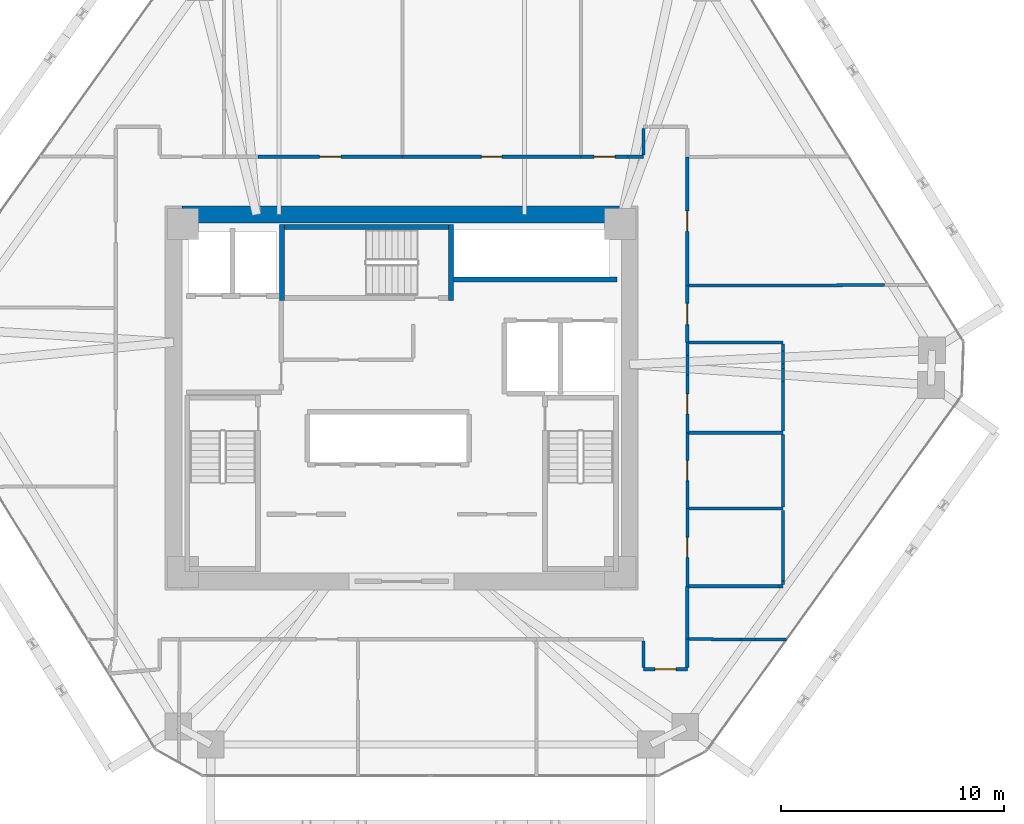
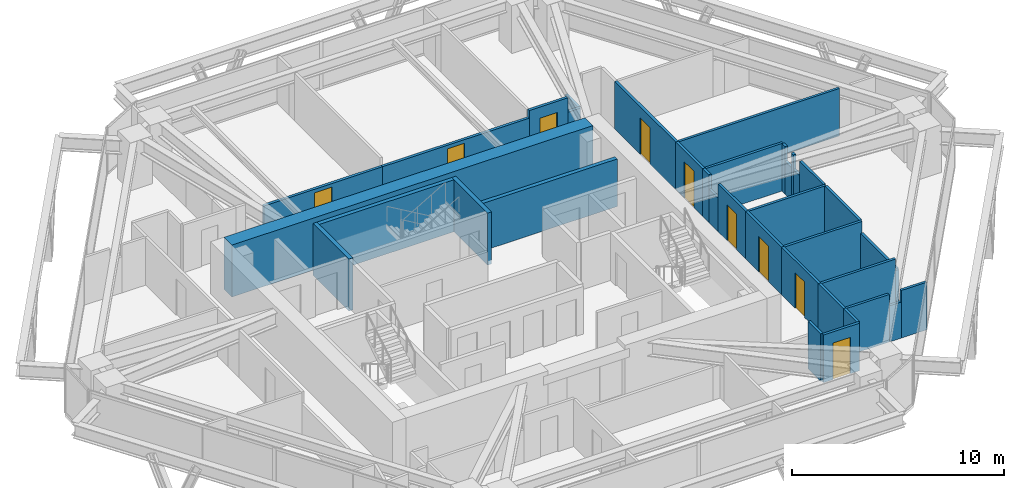
# One storey, part 12 of 14: 38 walls, 9 doors, 9 openings.
"""IFC4 building model written with IfcOpenShell, lengths in metres."""

from ifc_helpers import new_model, si_unit, direction, frame, frame_2d, origin, place, context, subcontext, project, spatial, rectangle, extrude, source, transform, mapped, material, layer, layer_set, type_object, type_shapes, element, fill, save


model = new_model("IFC4")

# Units and contexts
model_context = context("Model", 3, precision=1e-05, world=origin(), true_north=direction((0.0, 1.0)))
body_context = subcontext(model_context, "Body", "Model", "MODEL_VIEW")
ifc_project = project(units=[si_unit("LENGTHUNIT", "METRE"), si_unit("AREAUNIT", "SQUARE_METRE"), si_unit("VOLUMEUNIT", "CUBIC_METRE"), si_unit("PLANEANGLEUNIT", "RADIAN"), si_unit("MASSUNIT", "GRAM", prefix="KILO")], contexts=[model_context])

# Site, building, storey
site_placement = place(None, origin())
site = spatial("IfcSite", under=ifc_project, at=site_placement, CompositionType="ELEMENT")
building_placement = place(site_placement, origin())
building = spatial("IfcBuilding", under=site, at=building_placement, Name="Durnholm Broadcast Tower", CompositionType="ELEMENT")
storey_placement = place(building_placement, frame((0.0, 0.0, 140.10009765625)))
storey = spatial("IfcBuildingStorey", under=building, at=storey_placement, Name="L38", CompositionType="ELEMENT", Elevation=140.10009765625)

# Walls
ifc_material_1 = material(Name="Concrete C70/85", Category="concrete")
ifc_layer_1 = layer(ifc_material_1, 0.75)
ifc_layer_set_1 = layer_set([ifc_layer_1], Name="Concrete C70/85")
wall_type_1 = type_object("IfcWallType", Name="WALL-CW-750", PredefinedType="SHEAR", material=ifc_layer_set_1)
wall_1_placement = place(storey_placement, frame((-9.85009765625, 8.22509765625, 0.0), z_axis=(0.0, 0.0, 1.0), x_axis=(1.0, 0.0, 0.0)))
element("IfcWall", 1, at=wall_1_placement, inside=storey, type_object=wall_type_1, Name="L38 central core shear wall CW-N", PredefinedType="SHEAR", context=body_context, shape_type="SweptSolid", body=[
    extrude(rectangle(XDim=19.7001953125, YDim=0.75, at=frame_2d((9.85009765625, 0.0))), origin(), (0.0, 0.0, 1.0), 3.0),
])
ifc_material_2 = material(Name="Gypsum Metal Stud Partition", Category="concrete")
ifc_layer_2 = layer(ifc_material_2, 0.135009765625)
ifc_layer_set_2 = layer_set([ifc_layer_2], Name="Gypsum Metal Stud Partition")
wall_type_2 = type_object("IfcWallType", Name="WALL-PART-135", PredefinedType="PARTITIONING", material=ifc_layer_set_2)
wall_2_placement = place(storey_placement, frame((12.888916015625, -10.810302734375, 0.0), z_axis=(0.0, 0.0, 1.0), x_axis=(0.999986120669, -0.005268630773, 0.0)))
element("IfcWall", 2, at=wall_2_placement, inside=storey, type_object=wall_type_2, Name="L38 room dividing partition 14.18", PredefinedType="PARTITIONING", context=body_context, shape_type="SweptSolid", body=[
    extrude(rectangle(XDim=2.31689453125, YDim=0.135009765625, at=frame_2d((1.158447265625, 0.0))), origin(), (0.0, 0.0, 1.0), 2.744873046875),
])
wall_3_placement = place(storey_placement, frame((15.85498046875, -10.825927734375, 0.0), z_axis=(0.0, 0.0, 1.0), x_axis=(0.999986174138, -0.005258472432, 0.0)))
element("IfcWall", 3, at=wall_3_placement, inside=storey, type_object=wall_type_2, Name="L38 room dividing partition 14.18", PredefinedType="PARTITIONING", context=body_context, shape_type="SweptSolid", body=[
    extrude(rectangle(XDim=1.392822265625, YDim=0.135009765625, at=frame_2d((0.6962890625, 0.0))), origin(), (0.0, 0.0, 1.0), 2.744873046875),
])
wall_4_placement = place(storey_placement, frame((15.205810546875, -10.822509765625, 0.0), z_axis=(0.0, 0.0, 1.0), x_axis=(0.999986139453, -0.005265064292, 0.0)))
element("IfcWall", 4, at=wall_4_placement, inside=storey, type_object=wall_type_2, Name="L38 room dividing partition 14.18", PredefinedType="PARTITIONING", context=body_context, shape_type="SweptSolid", body=[
    extrude(rectangle(XDim=0.649169921875, YDim=0.135009765625, at=frame_2d((0.32470703125, 0.0))), origin(), (0.0, 0.0, 1.0), 2.079833984375),
])
wall_5_placement = place(storey_placement, frame((12.888916015625, 5.040283203125, 0.0), z_axis=(0.0, 0.0, 1.0), x_axis=(0.999998100826, 0.001948934128, 0.0)))
element("IfcWall", 5, at=wall_5_placement, inside=storey, type_object=wall_type_2, Name="L38 room dividing partition 18.19", PredefinedType="PARTITIONING", context=body_context, shape_type="SweptSolid", body=[
    extrude(rectangle(XDim=8.768798828125, YDim=0.135009765625, at=frame_2d((4.38427734375, 0.0))), origin(), (0.0, 0.0, 1.0), 2.744873046875),
])

# Wall, opening, door
ifc_material_3 = material(Name="Acoustic Gypsum Stud Partition", Category="concrete")
ifc_layer_3 = layer(ifc_material_3, 0.14990234375)
ifc_layer_set_3 = layer_set([ifc_layer_3], Name="Acoustic Gypsum Stud Partition")
wall_type_3 = type_object("IfcWallType", Name="WALL-PART-150", PredefinedType="PARTITIONING", material=ifc_layer_set_3)
wall_6_placement = place(storey_placement, frame((0.0400390625, 10.81005859375, 0.0), z_axis=(0.0, 0.0, 1.0), x_axis=(-1.0, 0.0, 0.0)))
wall_6 = element("IfcWall", 6, at=wall_6_placement, inside=storey, type_object=wall_type_3, Name="L38 Compliance Office 2 corridor partition", PredefinedType="PARTITIONING", context=body_context, shape_type="SweptSolid", body=[
    extrude(rectangle(XDim=6.481201171875, YDim=0.14990234375, at=frame_2d((3.24072265625, 0.0))), origin(), (0.0, 0.0, 1.0), 2.30810546875),
])
opening_1_placement = place(wall_6_placement, frame((2.765380859375, 0.0, 0.0)))
opening_1 = element("IfcOpeningElement", 7, at=opening_1_placement, cuts=wall_6, Name="Opening DR-95R", PredefinedType="OPENING", context=body_context, shape_type="SweptSolid", body=[
    extrude(rectangle(XDim=0.949951171875, YDim=2.10009765625, at=frame_2d((0.47509765625, 1.050048828125))), frame((0.0, 0.0849609375, 0.0), z_axis=(0.0, -1.0, 0.0), x_axis=(1.0, 0.0, 0.0)), (0.0, 0.0, 1.0), 0.169921875),
])
ifc_material_4 = material(Name="Acoustic Oak Veneer Timber Door", Category="wood")
ifc_layer_4 = layer(ifc_material_4, 0.050048828125)
ifc_layer_set_4 = layer_set([ifc_layer_4], Name="Acoustic Oak Veneer Timber Door")
door_type_1 = type_object("IfcDoorType", Name="DOOR-RM-950R", OperationType="NOTDEFINED", PredefinedType="DOOR", material=ifc_layer_set_4)
shared_shape_1 = source(origin(), body_context, "Body", "SweptSolid", [
    extrude(rectangle(XDim=0.949951171875, YDim=2.10009765625, at=frame_2d((0.47509765625, 1.050048828125))), frame((0.0, 0.02490234375, 0.0), z_axis=(0.0, -1.0, 0.0), x_axis=(1.0, 0.0, 0.0)), (0.0, 0.0, 1.0), 0.050048828125),
])
type_shapes(door_type_1, [shared_shape_1])
door_1_placement = place(opening_1_placement, origin())
door_1 = element("IfcDoor", 8, at=door_1_placement, inside=storey, type_object=door_type_1, Name="L38 Compliance Office 2 entrance door", OperationType="SINGLE_SWING_RIGHT", OverallHeight=2.10009765625, OverallWidth=0.949951171875, PredefinedType="DOOR", context=body_context, shape_type="MappedRepresentation", body=[
    mapped(shared_shape_1, transform((0.0, 0.0, 0.0), x_axis=(1.0, 0.0, 0.0), y_axis=(0.0, 1.0, 0.0), z_axis=(0.0, 0.0, 1.0), scale=1.0)),
])
fill(opening_1, door_1)

wall_7_placement = place(storey_placement, frame((8.0400390625, 10.81005859375, 0.0), z_axis=(0.0, 0.0, 1.0), x_axis=(-1.0, 0.0, 0.0)))
wall_7 = element("IfcWall", 9, at=wall_7_placement, inside=storey, type_object=wall_type_3, Name="L38 Captioning Office corridor partition", PredefinedType="PARTITIONING", context=body_context, shape_type="SweptSolid", body=[
    extrude(rectangle(XDim=8.0, YDim=0.14990234375, at=frame_2d((4.0, 0.0))), origin(), (0.0, 0.0, 1.0), 2.30810546875),
])
opening_2_placement = place(wall_7_placement, frame((3.5400390625, 0.0, 0.0)))
opening_2 = element("IfcOpeningElement", 10, at=opening_2_placement, cuts=wall_7, Name="Opening DR-92L", PredefinedType="OPENING", context=body_context, shape_type="SweptSolid", body=[
    extrude(rectangle(XDim=0.919921875, YDim=2.10009765625, at=frame_2d((0.4599609375, 1.050048828125))), frame((0.0, 0.0849609375, 0.0), z_axis=(0.0, -1.0, 0.0), x_axis=(1.0, 0.0, 0.0)), (0.0, 0.0, 1.0), 0.169921875),
])
ifc_material_5 = material(Name="Oak Veneer Office Door", Category="wood")
ifc_layer_5 = layer(ifc_material_5, 0.050048828125)
ifc_layer_set_5 = layer_set([ifc_layer_5], Name="Oak Veneer Office Door")
door_type_2 = type_object("IfcDoorType", Name="DOOR-RM-920L", OperationType="NOTDEFINED", PredefinedType="DOOR", material=ifc_layer_set_5)
shared_shape_2 = source(origin(), body_context, "Body", "SweptSolid", [
    extrude(rectangle(XDim=0.919921875, YDim=2.10009765625, at=frame_2d((0.4599609375, 1.050048828125))), frame((0.0, 0.02490234375, 0.0), z_axis=(0.0, -1.0, 0.0), x_axis=(1.0, 0.0, 0.0)), (0.0, 0.0, 1.0), 0.050048828125),
])
type_shapes(door_type_2, [shared_shape_2])
door_2_placement = place(opening_2_placement, origin())
door_2 = element("IfcDoor", 11, at=door_2_placement, inside=storey, type_object=door_type_2, Name="L38 Captioning Office entrance door", OperationType="SINGLE_SWING_LEFT", OverallHeight=2.10009765625, OverallWidth=0.919921875, PredefinedType="DOOR", context=body_context, shape_type="MappedRepresentation", body=[
    mapped(shared_shape_2, transform((0.0, 0.0, 0.0), x_axis=(1.0, 0.0, 0.0), y_axis=(0.0, 1.0, 0.0), z_axis=(0.0, 0.0, 1.0), scale=1.0)),
])
fill(opening_2, door_2)

wall_8_placement = place(storey_placement, frame((10.1416015625, 10.81005859375, 0.0), z_axis=(0.0, 0.0, 1.0), x_axis=(-1.0, 0.0, 0.0)))
wall_8 = element("IfcWall", 12, at=wall_8_placement, inside=storey, type_object=wall_type_3, Name="L38 Open Plan Broadcast Workspace 5 corridor partition", PredefinedType="PARTITIONING", context=body_context, shape_type="SweptSolid", body=[
    extrude(rectangle(XDim=2.1015625, YDim=0.14990234375, at=frame_2d((1.05078125, 0.0))), origin(), (0.0, 0.0, 1.0), 2.744873046875),
])
opening_3_placement = place(wall_8_placement, frame((0.575927734375, 0.0, 0.0)))
opening_3 = element("IfcOpeningElement", 13, at=opening_3_placement, cuts=wall_8, Name="Opening DR-95R", PredefinedType="OPENING", context=body_context, shape_type="SweptSolid", body=[
    extrude(rectangle(XDim=0.949951171875, YDim=2.10009765625, at=frame_2d((0.47509765625, 1.050048828125))), frame((0.0, 0.0849609375, 0.0), z_axis=(0.0, -1.0, 0.0), x_axis=(1.0, 0.0, 0.0)), (0.0, 0.0, 1.0), 0.169921875),
])
door_3_placement = place(opening_3_placement, origin())
door_3 = element("IfcDoor", 14, at=door_3_placement, inside=storey, type_object=door_type_1, Name="L38 Open Plan Broadcast Workspace 5 entrance door", OperationType="SINGLE_SWING_RIGHT", OverallHeight=2.10009765625, OverallWidth=0.949951171875, PredefinedType="DOOR", context=body_context, shape_type="MappedRepresentation", body=[
    mapped(shared_shape_1, transform((0.0, 0.0, 0.0), x_axis=(1.0, 0.0, 0.0), y_axis=(0.0, 1.0, 0.0), z_axis=(0.0, 0.0, 1.0), scale=1.0)),
])
fill(opening_3, door_3)

# Walls
wall_9_placement = place(storey_placement, frame((10.840087890625, 10.81005859375, 0.0), z_axis=(0.0, 0.0, 1.0), x_axis=(-1.0, 0.0, 0.0)))
element("IfcWall", 15, at=wall_9_placement, inside=storey, type_object=wall_type_3, Name="L38 Open Plan Broadcast Workspace 5 corridor partition", PredefinedType="PARTITIONING", context=body_context, shape_type="SweptSolid", body=[
    extrude(rectangle(XDim=0.698486328125, YDim=0.14990234375, at=frame_2d((0.34912109375, 0.0))), origin(), (0.0, 0.0, 1.0), 1.912109375),
])
wall_10_placement = place(storey_placement, frame((10.840087890625, 12.0810546875, 0.0), z_axis=(0.0, 0.0, 1.0), x_axis=(0.0, -1.0, 0.0)))
element("IfcWall", 16, at=wall_10_placement, inside=storey, type_object=wall_type_3, Name="L38 Open Plan Broadcast Workspace 5 corridor partition", PredefinedType="PARTITIONING", context=body_context, shape_type="SweptSolid", body=[
    extrude(rectangle(XDim=1.192138671875, YDim=0.14990234375, at=frame_2d((0.59619140625, 0.0))), origin(), (0.0, 0.0, 1.0), 1.912109375),
])

# Wall, opening, door
wall_11_placement = place(storey_placement, frame((10.840087890625, -12.159912109375, 0.0), z_axis=(0.0, 0.0, 1.0), x_axis=(1.0, 0.0, 0.0)))
wall_11 = element("IfcWall", 17, at=wall_11_placement, inside=storey, type_object=wall_type_3, Name="L38 Open Plan Broadcast Workspace 3 corridor partition", PredefinedType="PARTITIONING", context=body_context, shape_type="SweptSolid", body=[
    extrude(rectangle(XDim=1.969970703125, YDim=0.14990234375, at=frame_2d((0.98486328125, 0.0))), origin(), (0.0, 0.0, 1.0), 2.744873046875),
])
opening_4_placement = place(wall_11_placement, frame((0.510009765625, 0.0, 0.0)))
opening_4 = element("IfcOpeningElement", 18, at=opening_4_placement, cuts=wall_11, Name="Opening DR-95L", PredefinedType="OPENING", context=body_context, shape_type="SweptSolid", body=[
    extrude(rectangle(XDim=0.949951171875, YDim=2.10009765625, at=frame_2d((0.47509765625, 1.050048828125))), frame((0.0, 0.0849609375, 0.0), z_axis=(0.0, -1.0, 0.0), x_axis=(1.0, 0.0, 0.0)), (0.0, 0.0, 1.0), 0.169921875),
])
ifc_layer_6 = layer(ifc_material_4, 0.050048828125)
ifc_layer_set_6 = layer_set([ifc_layer_6], Name="Acoustic Oak Veneer Timber Door")
door_type_3 = type_object("IfcDoorType", Name="DOOR-RM-950L", OperationType="NOTDEFINED", PredefinedType="DOOR", material=ifc_layer_set_6)
shared_shape_3 = source(origin(), body_context, "Body", "SweptSolid", [
    extrude(rectangle(XDim=0.949951171875, YDim=2.10009765625, at=frame_2d((0.47509765625, 1.050048828125))), frame((0.0, 0.02490234375, 0.0), z_axis=(0.0, -1.0, 0.0), x_axis=(1.0, 0.0, 0.0)), (0.0, 0.0, 1.0), 0.050048828125),
])
type_shapes(door_type_3, [shared_shape_3])
door_4_placement = place(opening_4_placement, origin())
door_4 = element("IfcDoor", 19, at=door_4_placement, inside=storey, type_object=door_type_3, Name="L38 Open Plan Broadcast Workspace 3 entrance door", OperationType="SINGLE_SWING_LEFT", OverallHeight=2.10009765625, OverallWidth=0.949951171875, PredefinedType="DOOR", context=body_context, shape_type="MappedRepresentation", body=[
    mapped(shared_shape_3, transform((0.0, 0.0, 0.0), x_axis=(1.0, 0.0, 0.0), y_axis=(0.0, 1.0, 0.0), z_axis=(0.0, 0.0, 1.0), scale=1.0)),
])
fill(opening_4, door_4)

# Walls
wall_12_placement = place(storey_placement, frame((10.840087890625, -10.888916015625, 0.0), z_axis=(0.0, 0.0, 1.0), x_axis=(0.0, -1.0, 0.0)))
element("IfcWall", 20, at=wall_12_placement, inside=storey, type_object=wall_type_3, Name="L38 Open Plan Broadcast Workspace 3 corridor partition", PredefinedType="PARTITIONING", context=body_context, shape_type="SweptSolid", body=[
    extrude(rectangle(XDim=1.192138671875, YDim=0.14990234375, at=frame_2d((0.59619140625, 0.0))), origin(), (0.0, 0.0, 1.0), 2.744873046875),
])
wall_13_placement = place(storey_placement, frame((12.81005859375, -12.0810546875, 0.0), z_axis=(0.0, 0.0, 1.0), x_axis=(0.0, 1.0, 0.0)))
element("IfcWall", 21, at=wall_13_placement, inside=storey, type_object=wall_type_3, Name="L38 Open Plan Broadcast Workspace 3 corridor partition", PredefinedType="PARTITIONING", context=body_context, shape_type="SweptSolid", body=[
    extrude(rectangle(XDim=1.27099609375, YDim=0.14990234375, at=frame_2d((0.635498046875, 0.0))), origin(), (0.0, 0.0, 1.0), 2.744873046875),
])

# Wall, opening, door
wall_14_placement = place(storey_placement, frame((12.81005859375, 2.489990234375, 0.0), z_axis=(0.0, 0.0, 1.0), x_axis=(0.0, 1.0, 0.0)))
wall_14 = element("IfcWall", 22, at=wall_14_placement, inside=storey, type_object=wall_type_3, Name="L38 Open Plan Broadcast Workspace 1 corridor partition", PredefinedType="PARTITIONING", context=body_context, shape_type="SweptSolid", body=[
    extrude(rectangle(XDim=2.550048828125, YDim=0.14990234375, at=frame_2d((1.27490234375, 0.0))), origin(), (0.0, 0.0, 1.0), 2.744873046875),
])
opening_5_placement = place(wall_14_placement, frame((0.800048828125, 0.0, 0.0)))
opening_5 = element("IfcOpeningElement", 23, at=opening_5_placement, cuts=wall_14, Name="Opening DR-95R", PredefinedType="OPENING", context=body_context, shape_type="SweptSolid", body=[
    extrude(rectangle(XDim=0.949951171875, YDim=2.10009765625, at=frame_2d((0.47509765625, 1.050048828125))), frame((0.0, 0.0849609375, 0.0), z_axis=(0.0, -1.0, 0.0), x_axis=(1.0, 0.0, 0.0)), (0.0, 0.0, 1.0), 0.169921875),
])
door_5_placement = place(opening_5_placement, origin())
door_5 = element("IfcDoor", 24, at=door_5_placement, inside=storey, type_object=door_type_1, Name="L38 Open Plan Broadcast Workspace 1 entrance door", OperationType="SINGLE_SWING_RIGHT", OverallHeight=2.10009765625, OverallWidth=0.949951171875, PredefinedType="DOOR", context=body_context, shape_type="MappedRepresentation", body=[
    mapped(shared_shape_1, transform((0.0, 0.0, 0.0), x_axis=(1.0, 0.0, 0.0), y_axis=(0.0, 1.0, 0.0), z_axis=(0.0, 0.0, 1.0), scale=1.0)),
])
fill(opening_5, door_5)

# Wall
wall_15_placement = place(storey_placement, frame((12.81005859375, -10.81005859375, 0.0), z_axis=(0.0, 0.0, 1.0), x_axis=(0.0, 1.0, 0.0)))
element("IfcWall", 25, at=wall_15_placement, inside=storey, type_object=wall_type_3, Name="L38 Open Plan Broadcast Workspace 1 corridor partition", PredefinedType="PARTITIONING", context=body_context, shape_type="SweptSolid", body=[
    extrude(rectangle(XDim=2.3701171875, YDim=0.14990234375, at=frame_2d((1.18505859375, 0.0))), origin(), (0.0, 0.0, 1.0), 2.744873046875),
])

# Wall, opening, door
wall_16_placement = place(storey_placement, frame((12.81005859375, 5.0400390625, 0.0), z_axis=(0.0, 0.0, 1.0), x_axis=(0.0, 1.0, 0.0)))
wall_16 = element("IfcWall", 26, at=wall_16_placement, inside=storey, type_object=wall_type_3, Name="L38 IP Counsel Office corridor partition", PredefinedType="PARTITIONING", context=body_context, shape_type="SweptSolid", body=[
    extrude(rectangle(XDim=5.77001953125, YDim=0.14990234375, at=frame_2d((2.885009765625, 0.0))), origin(), (0.0, 0.0, 1.0), 2.744873046875),
])
opening_6_placement = place(wall_16_placement, frame((2.425048828125, 0.0, 0.0)))
opening_6 = element("IfcOpeningElement", 27, at=opening_6_placement, cuts=wall_16, Name="Opening DR-92L", PredefinedType="OPENING", context=body_context, shape_type="SweptSolid", body=[
    extrude(rectangle(XDim=0.919921875, YDim=2.10009765625, at=frame_2d((0.4599609375, 1.050048828125))), frame((0.0, 0.0849609375, 0.0), z_axis=(0.0, -1.0, 0.0), x_axis=(1.0, 0.0, 0.0)), (0.0, 0.0, 1.0), 0.169921875),
])
door_6_placement = place(opening_6_placement, origin())
door_6 = element("IfcDoor", 28, at=door_6_placement, inside=storey, type_object=door_type_2, Name="L38 IP Counsel Office entrance door", OperationType="SINGLE_SWING_LEFT", OverallHeight=2.10009765625, OverallWidth=0.919921875, PredefinedType="DOOR", context=body_context, shape_type="MappedRepresentation", body=[
    mapped(shared_shape_2, transform((0.0, 0.0, 0.0), x_axis=(1.0, 0.0, 0.0), y_axis=(0.0, 1.0, 0.0), z_axis=(0.0, 0.0, 1.0), scale=1.0)),
])
fill(opening_6, door_6)

# Walls
ifc_material_6 = material(Name="Concrete Blockwork C30/37", Category="masonry")
ifc_layer_7 = layer(ifc_material_6, 0.219970703125)
ifc_layer_set_7 = layer_set([ifc_layer_7], Name="Concrete Blockwork C30/37")
wall_type_4 = type_object("IfcWallType", Name="WALL-SHAFT-220", PredefinedType="SOLIDWALL", material=ifc_layer_set_7)
wall_17_placement = place(storey_placement, frame((2.324951171875, 5.320068359375, 0.0), z_axis=(0.0, 0.0, 1.0), x_axis=(1.0, 0.0, 0.0)))
element("IfcWall", 29, at=wall_17_placement, inside=storey, type_object=wall_type_4, Name="L38 high-rise bank P3 south front wall", PredefinedType="SOLIDWALL", context=body_context, shape_type="SweptSolid", body=[
    extrude(rectangle(XDim=7.324951171875, YDim=0.219970703125, at=frame_2d((3.66259765625, 0.0))), origin(), (0.0, 0.0, 1.0), 2.744873046875),
])
ifc_material_7 = material(Name="Concrete C50/60", Category="concrete")
ifc_layer_8 = layer(ifc_material_7, 0.219970703125)
ifc_layer_set_8 = layer_set([ifc_layer_8], Name="Concrete C50/60")
wall_type_5 = type_object("IfcWallType", Name="WALL-SW-220", PredefinedType="SHEAR", material=ifc_layer_set_8)
for number, where, z_axis, x_axis, name in (
    (30, (2.2099609375, 4.3798828125, -0.239990234375), (0.0, 0.0, 1.0), (0.0, 1.0, 0.0), "L38 stair ST-3 structural shaft wall E"),
    (31, (-5.360107421875, 7.780029296875, -0.239990234375), (0.0, 0.0, 1.0), (0.0, -1.0, 0.0), "L38 stair ST-3 structural shaft wall W"),
):
    element("IfcWall", number, at=place(storey_placement, frame(where, z_axis=z_axis, x_axis=x_axis)), inside=storey, type_object=wall_type_5, Name=name, PredefinedType="SHEAR", context=body_context, shape_type="SweptSolid", body=[
        extrude(rectangle(XDim=3.400146484375, YDim=0.219970703125, at=frame_2d((1.7001953125, 0.0))), origin(), (0.0, 0.0, 1.0), 3.0),
    ])
wall_18_placement = place(storey_placement, frame((2.10009765625, 7.669921875, -0.239990234375), z_axis=(0.0, 0.0, 1.0), x_axis=(-1.0, 0.0, 0.0)))
element("IfcWall", 32, at=wall_18_placement, inside=storey, type_object=wall_type_5, Name="L38 stair ST-3 structural shaft wall N", PredefinedType="SHEAR", context=body_context, shape_type="SweptSolid", body=[
    extrude(rectangle(XDim=7.35009765625, YDim=0.219970703125, at=frame_2d((3.675048828125, 0.0))), origin(), (0.0, 0.0, 1.0), 3.0),
])

# Wall, opening, door
ifc_material_8 = material(Name="Moisture-Resistant Tile Partition", Category="concrete")
ifc_layer_9 = layer(ifc_material_8, 0.139892578125)
ifc_layer_set_9 = layer_set([ifc_layer_9], Name="Moisture-Resistant Tile Partition")
wall_type_6 = type_object("IfcWallType", Name="WALL-WC-140", PredefinedType="PARTITIONING", material=ifc_layer_set_9)
wall_19_placement = place(storey_placement, frame((12.81005859375, -8.43994140625, 0.0), z_axis=(0.0, 0.0, 1.0), x_axis=(0.0, 1.0, 0.0)))
wall_19 = element("IfcWall", 33, at=wall_19_placement, inside=storey, type_object=wall_type_6, Name="L38 Men's Restroom corridor partition", PredefinedType="PARTITIONING", context=body_context, shape_type="SweptSolid", body=[
    extrude(rectangle(XDim=3.47998046875, YDim=0.139892578125, at=frame_2d((1.739990234375, 0.0))), origin(), (0.0, 0.0, 1.0), 2.744873046875),
])
opening_7_placement = place(wall_19_placement, frame((1.2900390625, 0.0, 0.0)))
opening_7 = element("IfcOpeningElement", 34, at=opening_7_placement, cuts=wall_19, Name="Opening DW-90R", PredefinedType="OPENING", context=body_context, shape_type="SweptSolid", body=[
    extrude(rectangle(XDim=0.89990234375, YDim=2.050048828125, at=frame_2d((0.449951171875, 1.02490234375))), frame((0.0, 0.080078125, 0.0), z_axis=(0.0, -1.0, 0.0), x_axis=(1.0, 0.0, 0.0)), (0.0, 0.0, 1.0), 0.159912109375),
])
ifc_material_9 = material(Name="Laminate Restroom Door", Category="steel")
ifc_layer_10 = layer(ifc_material_9, 0.050048828125)
ifc_layer_set_10 = layer_set([ifc_layer_10], Name="Laminate Restroom Door")
door_type_4 = type_object("IfcDoorType", Name="DOOR-WC-900R", OperationType="NOTDEFINED", PredefinedType="DOOR", material=ifc_layer_set_10)
shared_shape_4 = source(origin(), body_context, "Body", "SweptSolid", [
    extrude(rectangle(XDim=0.89990234375, YDim=2.050048828125, at=frame_2d((0.449951171875, 1.02490234375))), frame((0.0, 0.02490234375, 0.0), z_axis=(0.0, -1.0, 0.0), x_axis=(1.0, 0.0, 0.0)), (0.0, 0.0, 1.0), 0.050048828125),
])
type_shapes(door_type_4, [shared_shape_4])
door_7_placement = place(opening_7_placement, origin())
door_7 = element("IfcDoor", 35, at=door_7_placement, inside=storey, type_object=door_type_4, Name="L38 Men's Restroom entrance door", OperationType="SINGLE_SWING_RIGHT", OverallHeight=2.050048828125, OverallWidth=0.89990234375, PredefinedType="DOOR", context=body_context, shape_type="MappedRepresentation", body=[
    mapped(shared_shape_4, transform((0.0, 0.0, 0.0), x_axis=(1.0, 0.0, 0.0), y_axis=(0.0, 1.0, 0.0), z_axis=(0.0, 0.0, 1.0), scale=1.0)),
])
fill(opening_7, door_7)

wall_20_placement = place(storey_placement, frame((12.81005859375, -4.9599609375, 0.0), z_axis=(0.0, 0.0, 1.0), x_axis=(0.0, 1.0, 0.0)))
wall_20 = element("IfcWall", 36, at=wall_20_placement, inside=storey, type_object=wall_type_6, Name="L38 Women's Restroom corridor partition", PredefinedType="PARTITIONING", context=body_context, shape_type="SweptSolid", body=[
    extrude(rectangle(XDim=3.39990234375, YDim=0.139892578125, at=frame_2d((1.699951171875, 0.0))), origin(), (0.0, 0.0, 1.0), 2.744873046875),
])
opening_8_placement = place(wall_20_placement, frame((1.25, 0.0, 0.0)))
opening_8 = element("IfcOpeningElement", 37, at=opening_8_placement, cuts=wall_20, Name="Opening DW-90L", PredefinedType="OPENING", context=body_context, shape_type="SweptSolid", body=[
    extrude(rectangle(XDim=0.89990234375, YDim=2.050048828125, at=frame_2d((0.449951171875, 1.02490234375))), frame((0.0, 0.080078125, 0.0), z_axis=(0.0, -1.0, 0.0), x_axis=(1.0, 0.0, 0.0)), (0.0, 0.0, 1.0), 0.159912109375),
])
ifc_layer_11 = layer(ifc_material_9, 0.050048828125)
ifc_layer_set_11 = layer_set([ifc_layer_11], Name="Laminate Restroom Door")
door_type_5 = type_object("IfcDoorType", Name="DOOR-WC-900L", OperationType="NOTDEFINED", PredefinedType="DOOR", material=ifc_layer_set_11)
shared_shape_5 = source(origin(), body_context, "Body", "SweptSolid", [
    extrude(rectangle(XDim=0.89990234375, YDim=2.050048828125, at=frame_2d((0.449951171875, 1.02490234375))), frame((0.0, 0.02490234375, 0.0), z_axis=(0.0, -1.0, 0.0), x_axis=(1.0, 0.0, 0.0)), (0.0, 0.0, 1.0), 0.050048828125),
])
type_shapes(door_type_5, [shared_shape_5])
door_8_placement = place(opening_8_placement, origin())
door_8 = element("IfcDoor", 38, at=door_8_placement, inside=storey, type_object=door_type_5, Name="L38 Women's Restroom entrance door", OperationType="SINGLE_SWING_LEFT", OverallHeight=2.050048828125, OverallWidth=0.89990234375, PredefinedType="DOOR", context=body_context, shape_type="MappedRepresentation", body=[
    mapped(shared_shape_5, transform((0.0, 0.0, 0.0), x_axis=(1.0, 0.0, 0.0), y_axis=(0.0, 1.0, 0.0), z_axis=(0.0, 0.0, 1.0), scale=1.0)),
])
fill(opening_8, door_8)

wall_21_placement = place(storey_placement, frame((12.81005859375, -1.56005859375, 0.0), z_axis=(0.0, 0.0, 1.0), x_axis=(0.0, 1.0, 0.0)))
wall_21 = element("IfcWall", 39, at=wall_21_placement, inside=storey, type_object=wall_type_6, Name="L38 Accessible Restroom corridor partition", PredefinedType="PARTITIONING", context=body_context, shape_type="SweptSolid", body=[
    extrude(rectangle(XDim=2.592041015625, YDim=0.139892578125, at=frame_2d((1.2958984375, 0.0))), origin(), (0.0, 0.0, 1.0), 2.744873046875),
])
opening_9_placement = place(wall_21_placement, frame((0.84619140625, 0.0, 0.0)))
opening_9 = element("IfcOpeningElement", 40, at=opening_9_placement, cuts=wall_21, Name="Opening DW-90R", PredefinedType="OPENING", context=body_context, shape_type="SweptSolid", body=[
    extrude(rectangle(XDim=0.89990234375, YDim=2.050048828125, at=frame_2d((0.449951171875, 1.02490234375))), frame((0.0, 0.080078125, 0.0), z_axis=(0.0, -1.0, 0.0), x_axis=(1.0, 0.0, 0.0)), (0.0, 0.0, 1.0), 0.159912109375),
])
door_9_placement = place(opening_9_placement, origin())
door_9 = element("IfcDoor", 41, at=door_9_placement, inside=storey, type_object=door_type_4, Name="L38 Accessible Restroom entrance door", OperationType="SINGLE_SWING_RIGHT", OverallHeight=2.050048828125, OverallWidth=0.89990234375, PredefinedType="DOOR", context=body_context, shape_type="MappedRepresentation", body=[
    mapped(shared_shape_4, transform((0.0, 0.0, 0.0), x_axis=(1.0, 0.0, 0.0), y_axis=(0.0, 1.0, 0.0), z_axis=(0.0, 0.0, 1.0), scale=1.0)),
])
fill(opening_9, door_9)

# Walls
wall_22_placement = place(storey_placement, frame((12.81005859375, 1.914306640625, 0.0), z_axis=(0.0, 0.0, 1.0), x_axis=(0.0, 1.0, 0.0)))
element("IfcWall", 42, at=wall_22_placement, inside=storey, type_object=wall_type_6, Name="L38 Accessible Restroom corridor partition", PredefinedType="PARTITIONING", context=body_context, shape_type="SweptSolid", body=[
    extrude(rectangle(XDim=0.57568359375, YDim=0.139892578125, at=frame_2d((0.287841796875, 0.0))), origin(), (0.0, 0.0, 1.0), 2.744873046875),
])
wall_23_placement = place(storey_placement, frame((12.81005859375, 1.031982421875, 0.0), z_axis=(0.0, 0.0, 1.0), x_axis=(0.0, 1.0, 0.0)))
element("IfcWall", 43, at=wall_23_placement, inside=storey, type_object=wall_type_6, Name="L38 Accessible Restroom corridor partition", PredefinedType="PARTITIONING", context=body_context, shape_type="SweptSolid", body=[
    extrude(rectangle(XDim=0.88232421875, YDim=0.139892578125, at=frame_2d((0.441162109375, 0.0))), origin(), (0.0, 0.0, 1.0), 1.912109375),
])
wall_24_placement = place(storey_placement, frame((12.884033203125, -4.9599609375, 0.0), z_axis=(0.0, 0.0, 1.0), x_axis=(1.0, 0.0, 0.0)))
element("IfcWall", 44, at=wall_24_placement, inside=storey, type_object=wall_type_6, Name="L38 room dividing partition 4.5", PredefinedType="PARTITIONING", context=body_context, shape_type="SweptSolid", body=[
    extrude(rectangle(XDim=4.2060546875, YDim=0.139892578125, at=frame_2d((2.10302734375, 0.0))), origin(), (0.0, 0.0, 1.0), 2.744873046875),
])
wall_25_placement = place(storey_placement, frame((16.91748046875, -8.43994140625, 0.0), z_axis=(0.0, 0.0, 1.0), x_axis=(-1.0, 0.0, 0.0)))
element("IfcWall", 45, at=wall_25_placement, inside=storey, type_object=wall_type_6, Name="L38 room dividing partition 4.18", PredefinedType="PARTITIONING", context=body_context, shape_type="SweptSolid", body=[
    extrude(rectangle(XDim=4.028564453125, YDim=0.139892578125, at=frame_2d((2.01416015625, 0.0))), origin(), (0.0, 0.0, 1.0), 2.744873046875),
])
wall_26_placement = place(storey_placement, frame((17.090087890625, -8.43994140625, 0.0), z_axis=(0.0, 0.0, 1.0), x_axis=(-1.0, 0.0, 0.0)))
element("IfcWall", 46, at=wall_26_placement, inside=storey, type_object=wall_type_6, Name="L38 room dividing partition 4.18", PredefinedType="PARTITIONING", context=body_context, shape_type="SweptSolid", body=[
    extrude(rectangle(XDim=0.172607421875, YDim=0.139892578125, at=frame_2d((0.08642578125, 0.0))), origin(), (0.0, 0.0, 1.0), 2.079833984375),
])
wall_27_placement = place(storey_placement, frame((17.090087890625, -5.033935546875, 0.0), z_axis=(0.0, 0.0, 1.0), x_axis=(0.0, -1.0, 0.0)))
element("IfcWall", 47, at=wall_27_placement, inside=storey, type_object=wall_type_6, Name="L38 room dividing partition 4.18", PredefinedType="PARTITIONING", context=body_context, shape_type="SweptSolid", body=[
    extrude(rectangle(XDim=3.165771484375, YDim=0.139892578125, at=frame_2d((1.5830078125, 0.0))), origin(), (0.0, 0.0, 1.0), 2.079833984375),
])
wall_28_placement = place(storey_placement, frame((17.090087890625, -8.19970703125, 0.0), z_axis=(0.0, 0.0, 1.0), x_axis=(0.0, -1.0, 0.0)))
element("IfcWall", 48, at=wall_28_placement, inside=storey, type_object=wall_type_6, Name="L38 room dividing partition 4.18", PredefinedType="PARTITIONING", context=body_context, shape_type="SweptSolid", body=[
    extrude(rectangle(XDim=0.166259765625, YDim=0.139892578125, at=frame_2d((0.0830078125, 0.0))), origin(), (0.0, 0.0, 1.0), 2.079833984375),
])
wall_29_placement = place(storey_placement, frame((12.884033203125, -1.56005859375, 0.0), z_axis=(0.0, 0.0, 1.0), x_axis=(1.0, 0.0, 0.0)))
element("IfcWall", 49, at=wall_29_placement, inside=storey, type_object=wall_type_6, Name="L38 room dividing partition 5.6", PredefinedType="PARTITIONING", context=body_context, shape_type="SweptSolid", body=[
    extrude(rectangle(XDim=4.2060546875, YDim=0.139892578125, at=frame_2d((2.10302734375, 0.0))), origin(), (0.0, 0.0, 1.0), 2.744873046875),
])
wall_30_placement = place(storey_placement, frame((17.090087890625, -1.634033203125, 0.0), z_axis=(0.0, 0.0, 1.0), x_axis=(0.0, -1.0, 0.0)))
element("IfcWall", 50, at=wall_30_placement, inside=storey, type_object=wall_type_6, Name="L38 room dividing partition 5.18", PredefinedType="PARTITIONING", context=body_context, shape_type="SweptSolid", body=[
    extrude(rectangle(XDim=3.251953125, YDim=0.139892578125, at=frame_2d((1.6259765625, 0.0))), origin(), (0.0, 0.0, 1.0), 2.744873046875),
])
wall_31_placement = place(storey_placement, frame((12.888916015625, 2.489990234375, 0.0), z_axis=(0.0, 0.0, 1.0), x_axis=(1.0, 0.0, 0.0)))
element("IfcWall", 51, at=wall_31_placement, inside=storey, type_object=wall_type_6, Name="L38 room dividing partition 6.18", PredefinedType="PARTITIONING", context=body_context, shape_type="SweptSolid", body=[
    extrude(rectangle(XDim=4.201171875, YDim=0.139892578125, at=frame_2d((2.1005859375, 0.0))), origin(), (0.0, 0.0, 1.0), 2.744873046875),
])
wall_32_placement = place(storey_placement, frame((17.090087890625, 2.416015625, 0.0), z_axis=(0.0, 0.0, 1.0), x_axis=(0.0, -1.0, 0.0)))
element("IfcWall", 52, at=wall_32_placement, inside=storey, type_object=wall_type_6, Name="L38 room dividing partition 6.18", PredefinedType="PARTITIONING", context=body_context, shape_type="SweptSolid", body=[
    extrude(rectangle(XDim=0.30078125, YDim=0.139892578125, at=frame_2d((0.150390625, 0.0))), origin(), (0.0, 0.0, 1.0), 2.744873046875),
])
wall_33_placement = place(storey_placement, frame((17.090087890625, 1.529541015625, 0.0), z_axis=(0.0, 0.0, 1.0), x_axis=(0.0, -1.0, 0.0)))
element("IfcWall", 53, at=wall_33_placement, inside=storey, type_object=wall_type_6, Name="L38 room dividing partition 6.18", PredefinedType="PARTITIONING", context=body_context, shape_type="SweptSolid", body=[
    extrude(rectangle(XDim=0.20068359375, YDim=0.139892578125, at=frame_2d((0.100341796875, 0.0))), origin(), (0.0, 0.0, 1.0), 2.744873046875),
])
wall_34_placement = place(storey_placement, frame((17.090087890625, 0.74267578125, 0.0), z_axis=(0.0, 0.0, 1.0), x_axis=(0.0, -1.0, 0.0)))
element("IfcWall", 54, at=wall_34_placement, inside=storey, type_object=wall_type_6, Name="L38 room dividing partition 6.18", PredefinedType="PARTITIONING", context=body_context, shape_type="SweptSolid", body=[
    extrude(rectangle(XDim=2.228759765625, YDim=0.139892578125, at=frame_2d((1.1142578125, 0.0))), origin(), (0.0, 0.0, 1.0), 2.744873046875),
])
wall_35_placement = place(storey_placement, frame((17.090087890625, 2.115234375, 0.0), z_axis=(0.0, 0.0, 1.0), x_axis=(0.0, -1.0, 0.0)))
element("IfcWall", 55, at=wall_35_placement, inside=storey, type_object=wall_type_6, Name="L38 room dividing partition 6.18", PredefinedType="PARTITIONING", context=body_context, shape_type="SweptSolid", body=[
    extrude(rectangle(XDim=0.585693359375, YDim=0.139892578125, at=frame_2d((0.29296875, 0.0))), origin(), (0.0, 0.0, 1.0), 1.912109375),
])
wall_36_placement = place(storey_placement, frame((17.090087890625, 1.328857421875, 0.0), z_axis=(0.0, 0.0, 1.0), x_axis=(0.0, -1.0, 0.0)))
element("IfcWall", 56, at=wall_36_placement, inside=storey, type_object=wall_type_6, Name="L38 room dividing partition 6.18", PredefinedType="PARTITIONING", context=body_context, shape_type="SweptSolid", body=[
    extrude(rectangle(XDim=0.586181640625, YDim=0.139892578125, at=frame_2d((0.29296875, 0.0))), origin(), (0.0, 0.0, 1.0), 1.912109375),
])

save(model, "model.ifc")
